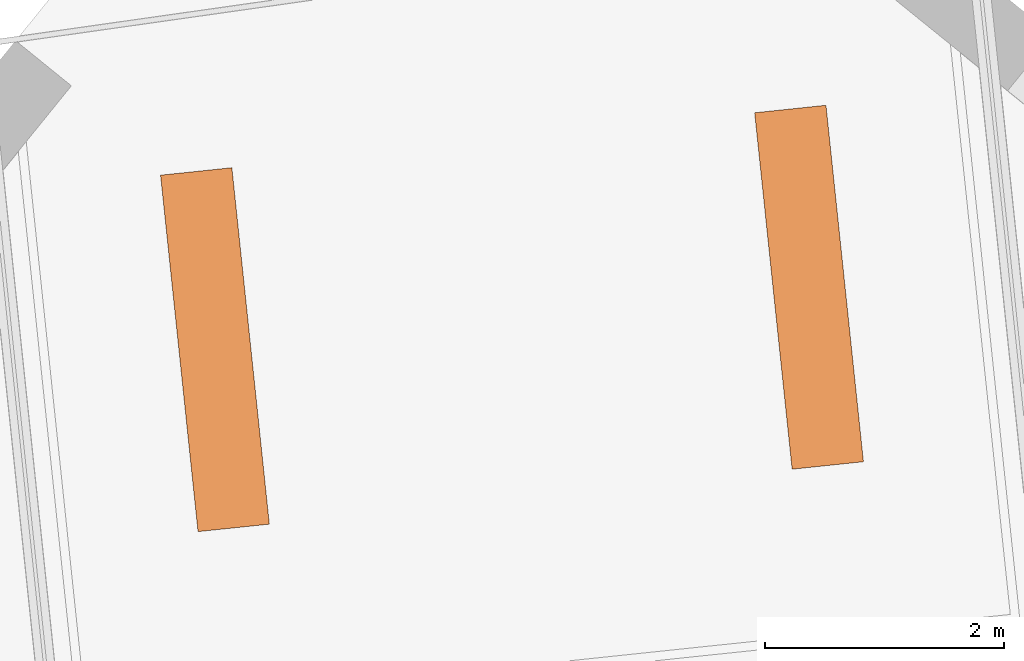
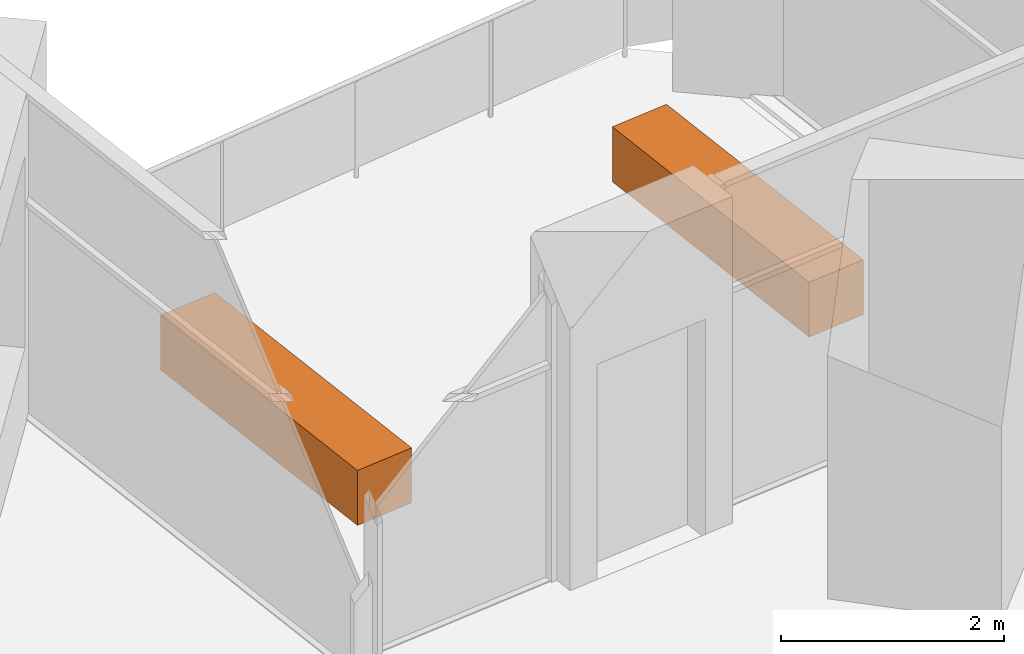
# One storey, part 14 of 14: 2 proxies.
"""IFC4 building model written with IfcOpenShell, lengths in metres."""

from ifc_helpers import new_model, si_unit, direction, frame, origin, origin_2d, place, context, subcontext, project, spatial, rectangle, extrude, element, save


model = new_model("IFC4")

# Units and contexts
model_context = context("Model", 3, precision=1e-05, world=origin(), true_north=direction((0.0, 1.0)))
body_context = subcontext(model_context, "Body", "Model", "MODEL_VIEW")
ifc_project = project(units=[si_unit("LENGTHUNIT", "METRE"), si_unit("AREAUNIT", "SQUARE_METRE"), si_unit("VOLUMEUNIT", "CUBIC_METRE"), si_unit("PLANEANGLEUNIT", "RADIAN"), si_unit("MASSUNIT", "GRAM", prefix="KILO")], contexts=[model_context])

# Site, building, storey
site_placement = place(None, origin())
site = spatial("IfcSite", under=ifc_project, at=site_placement, CompositionType="ELEMENT")
building_placement = place(site_placement, origin())
building = spatial("IfcBuilding", under=site, at=building_placement, Name="Dilmun Exchange Tower", CompositionType="ELEMENT")
storey_placement = place(building_placement, frame((0.0, 0.0, 225.300048828125)))
storey = spatial("IfcBuildingStorey", under=building, at=storey_placement, Name="L53", CompositionType="ELEMENT", Elevation=225.300048828125)

# Proxies
for number, where, z_axis, x_axis, name in (
    (1, (2.630859375, 32.70947265625, 0.0), (0.0, 0.0, 1.0), (-0.104528463268, 0.994521895368, 0.0), "PLANTER Date palm L53.1"),
    (2, (-2.341796875, 32.18701171875, 0.0), (0.0, 0.0, 1.0), (-0.104528463268, 0.994521895368, 0.0), "PLANTER Date palm L53.2"),
):
    element("IfcBuildingElementProxy", number, at=place(storey_placement, frame(where, z_axis=z_axis, x_axis=x_axis)), inside=storey, Name=name, ObjectType="PLANTER", PredefinedType="USERDEFINED", context=body_context, shape_type="SweptSolid", body=[
        extrude(rectangle(XDim=3.0, YDim=0.60009765625, at=origin_2d()), origin(), (0.0, 0.0, 1.0), 0.60009765625),
    ])

save(model, "model.ifc")
